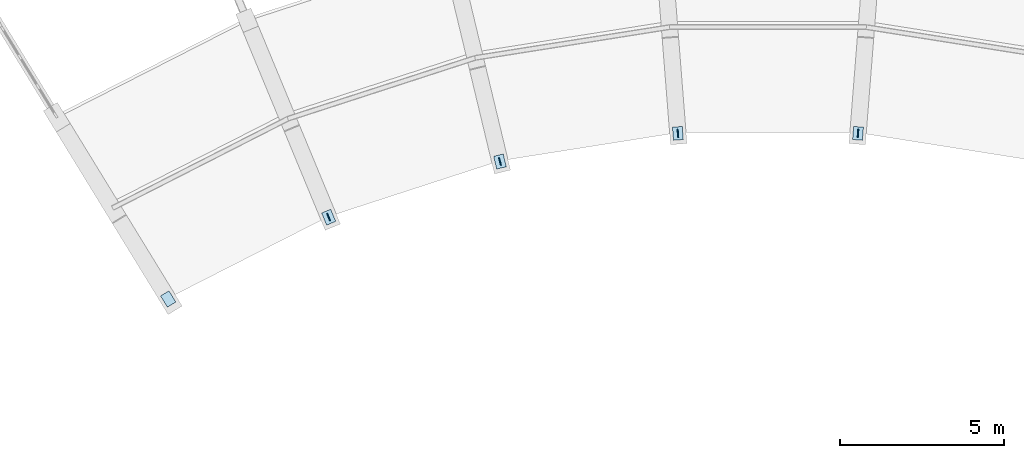
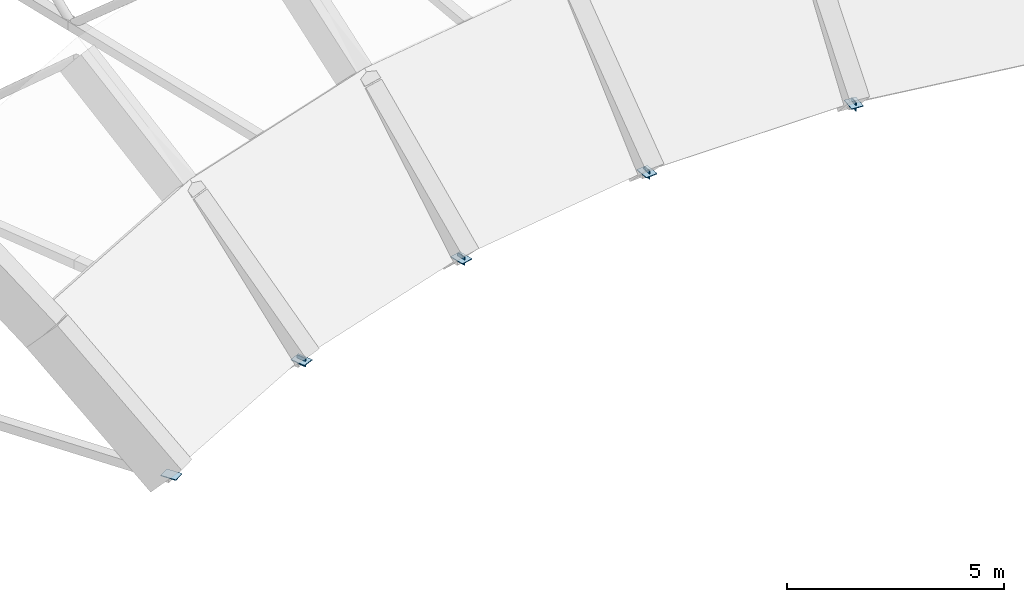
# One storey, part 22 of 34: 9 plates.
"""IFC4 building model written with IfcOpenShell, lengths in metres."""

import ifcopenshell
import ifcopenshell.guid

model = None  # the IFC model being written
_history = None  # IfcOwnerHistory: only IFC2X3 demands one
_inside = {}  # id of a spatial element -> (the spatial element, [elements in it])
_under = {}  # id of a project, library or spatial element -> (it, [spatial elements below it])
_declared = {}  # id of a project -> (the project, [libraries it declares])
_typed = {}  # id of a type object -> (the type object, [elements of that type])
_made_of = {}  # id of a material, layer set ... -> (it, [elements and type objects made of it])


def new_model(schema):
    """Start an empty IFC model of exactly this schema.

    Asked for "IFC4X3", IfcOpenShell would pick the latest addendum, in which some entities
    have other attributes; the version numbers below select the first issue.
    IFC2X3 requires an IfcOwnerHistory on every rooted entity: one is made here for all.
    """
    global model, _history
    if schema == "IFC4X3":
        model = ifcopenshell.file(schema_version=(4, 3, 0, 0))
    else:
        model = ifcopenshell.file(schema=schema)
    _inside.clear()
    _under.clear()
    _declared.clear()
    _typed.clear()
    _made_of.clear()
    _history = None
    if model.schema == "IFC2X3":
        org = make("IfcOrganization", Name="unknown")
        user = make(
            "IfcPersonAndOrganization",
            ThePerson=make("IfcPerson", FamilyName="unknown"),
            TheOrganization=org,
        )
        app = make(
            "IfcApplication",
            ApplicationDeveloper=org,
            Version="unknown",
            ApplicationFullName="unknown",
            ApplicationIdentifier="unknown",
        )
        _history = make(
            "IfcOwnerHistory",
            OwningUser=user,
            OwningApplication=app,
            ChangeAction="ADDED",
            CreationDate=0,
        )
    return model


def make(cls, **values):
    """One entity of the class cls with the attributes given. An attribute that is None is left unset."""
    return model.create_entity(
        cls, **{name: value for name, value in values.items() if value is not None}
    )


def rooted(cls, **values):
    """An entity with a GlobalId (a new one), such as an element, a storey or a relation."""
    return make(cls, GlobalId=ifcopenshell.guid.new(), OwnerHistory=_history, **values)


def si_unit(unit_type, name, prefix=None):
    """IfcSIUnit, for example si_unit("LENGTHUNIT", "METRE", prefix="MILLI")."""
    return make("IfcSIUnit", UnitType=unit_type, Prefix=prefix, Name=name)


def assignment(units):
    """IfcUnitAssignment: the units of a project."""
    return None if units is None else make("IfcUnitAssignment", Units=units)


def point(xyz):
    """IfcCartesianPoint."""
    return None if xyz is None else make("IfcCartesianPoint", Coordinates=xyz)


def direction(xyz):
    """IfcDirection."""
    return None if xyz is None else make("IfcDirection", DirectionRatios=xyz)


def frame(location, z_axis=None, x_axis=None):
    """IfcAxis2Placement3D, a coordinate frame: its origin and axes. An axis left out is left unset."""
    return make(
        "IfcAxis2Placement3D",
        Location=point(location),
        Axis=direction(z_axis),
        RefDirection=direction(x_axis),
    )


def frame_2d(location, x_axis=None):
    """IfcAxis2Placement2D, a coordinate frame in the plane: its origin and x axis."""
    return make(
        "IfcAxis2Placement2D", Location=point(location), RefDirection=direction(x_axis)
    )


def origin():
    """The frame at (0, 0, 0) with its axes left unset."""
    return frame((0.0, 0.0, 0.0))


def origin_2d():
    """The frame at (0, 0) in the plane with its x axis left unset."""
    return frame_2d((0.0, 0.0))


def place(relative_to, where):
    """IfcLocalPlacement: puts the frame where relative to a parent placement (None: the world)."""
    return make(
        "IfcLocalPlacement", PlacementRelTo=relative_to, RelativePlacement=where
    )


def context(
    kind, dimensions, precision=None, world=None, true_north=None, identifier=None
):
    """IfcGeometricRepresentationContext, for example the 3D "Model" context."""
    return make(
        "IfcGeometricRepresentationContext",
        ContextIdentifier=identifier,
        ContextType=kind,
        CoordinateSpaceDimension=dimensions,
        Precision=precision,
        WorldCoordinateSystem=world,
        TrueNorth=true_north,
    )


def subcontext(parent, identifier, kind, view, scale=None):
    """IfcGeometricRepresentationSubContext, for example "Body" below "Model"."""
    return make(
        "IfcGeometricRepresentationSubContext",
        ContextIdentifier=identifier,
        ContextType=kind,
        ParentContext=parent,
        TargetScale=scale,
        TargetView=view,
    )


def project(units=None, contexts=None):
    """IfcProject with its units and contexts."""
    return rooted(
        "IfcProject",
        Name="project",
        RepresentationContexts=contexts,
        UnitsInContext=assignment(units),
    )


def spatial(cls, under=None, at=None, **own):
    """A site, building, storey or space (cls), placed at a placement, below another one or the project."""
    s = rooted(cls, ObjectPlacement=at, **own)
    if under is not None:
        _under.setdefault(under.id(), (under, []))[1].append(s)
    return s


def profile(cls, at=None, kind="AREA", **sizes):
    """A parametric profile (cls). Its sizes go by their IFC names, for example OverallWidth=200.0."""
    return make(cls, ProfileType=kind, Position=at, **sizes)


def rectangle(**sizes):
    """IfcRectangleProfileDef."""
    return profile("IfcRectangleProfileDef", **sizes)


def extrude(swept, where, along, depth):
    """IfcExtrudedAreaSolid: the profile swept, set in the frame where, extruded along a direction by depth."""
    return make(
        "IfcExtrudedAreaSolid",
        SweptArea=swept,
        Position=where,
        ExtrudedDirection=direction(along),
        Depth=depth,
    )


def shape(context_of_items, identifier, shape_type, items):
    """IfcShapeRepresentation: the items that make up one representation, for example the "Body"."""
    return make(
        "IfcShapeRepresentation",
        ContextOfItems=context_of_items,
        RepresentationIdentifier=identifier,
        RepresentationType=shape_type,
        Items=items,
    )


def material(Name=None, Category=None):
    """IfcMaterial."""
    return make("IfcMaterial", Name=Name, Category=Category)


def layer(
    of_material, thickness, ventilated=None, Name=None, Category=None, Priority=None
):
    """IfcMaterialLayer: one layer of a wall or slab, of a material (None: an air gap)."""
    return make(
        "IfcMaterialLayer",
        Material=of_material,
        LayerThickness=thickness,
        IsVentilated=ventilated,
        Name=Name,
        Category=Category,
        Priority=Priority,
    )


def layer_set(layers, Name=None):
    """IfcMaterialLayerSet."""
    return make("IfcMaterialLayerSet", MaterialLayers=layers, LayerSetName=Name)


def made_of(thing, what):
    """Note that an element or type object is made of a material, layer set ...; save() writes the relation."""
    if what is not None:
        _made_of.setdefault(what.id(), (what, []))[1].append(thing)
    return thing


def type_object(cls, material=None, **own):
    """A type object (cls), such as IfcWallType, which elements share."""
    return made_of(rooted(cls, **own), material)


def element(
    cls,
    number,
    at=None,
    inside=None,
    cuts=None,
    type_object=None,
    material=None,
    context=None,
    identifier="Body",
    shape_type=None,
    held_by="IfcProductDefinitionShape",
    body=None,
    shapes=None,
    **own,
):
    """One element of the class cls, such as IfcWall. Its Tag is "e" and its number.

    at: its placement. inside: the storey or other place that contains it. cuts: it is an
    opening in that element (IfcRelVoidsElement). A single representation is given by context,
    identifier, shape_type and body (its items); several are given by shapes. held_by: the class
    of the entity that holds the representations. save() writes the other relations.
    """
    e = rooted(cls, Tag="e%d" % number, ObjectPlacement=at, **own)
    if body is not None:
        shapes = [shape(context, identifier, shape_type, body)]
    if shapes is not None:
        e.Representation = make(held_by, Representations=shapes)
    if inside is not None:
        _inside.setdefault(inside.id(), (inside, []))[1].append(e)
    if cuts is not None:
        rooted(
            "IfcRelVoidsElement", RelatingBuildingElement=cuts, RelatedOpeningElement=e
        )
    if type_object is not None:
        _typed.setdefault(type_object.id(), (type_object, []))[1].append(e)
    return made_of(e, material)


def aggregate(whole, parts):
    """IfcRelAggregates: a whole, such as a stair, and the parts it consists of."""
    return rooted("IfcRelAggregates", RelatingObject=whole, RelatedObjects=parts)


def save(model, path):
    """Write the relations noted so far, then the file.

    IfcRelAggregates (storeys below a building ...), IfcRelContainedInSpatialStructure (elements
    in a storey), IfcRelDefinesByType, IfcRelAssociatesMaterial and IfcRelDeclares: one each for
    every whole, place, type object, material and project.
    """
    for whole, parts in _under.values():
        aggregate(whole, parts)
    for where, things in _inside.values():
        rooted(
            "IfcRelContainedInSpatialStructure",
            RelatedElements=things,
            RelatingStructure=where,
        )
    for kind, things in _typed.values():
        rooted("IfcRelDefinesByType", RelatedObjects=things, RelatingType=kind)
    for what, things in _made_of.values():
        rooted("IfcRelAssociatesMaterial", RelatedObjects=things, RelatingMaterial=what)
    for by, libraries in _declared.values():
        rooted("IfcRelDeclares", RelatingContext=by, RelatedDefinitions=libraries)
    model.write(path)


model = new_model("IFC4")

# Units and contexts
model_context = context("Model", 3, precision=1e-05, world=origin(), true_north=direction((0.0, 1.0)))
body_context = subcontext(model_context, "Body", "Model", "MODEL_VIEW")
ifc_project = project(units=[si_unit("LENGTHUNIT", "METRE"), si_unit("AREAUNIT", "SQUARE_METRE"), si_unit("VOLUMEUNIT", "CUBIC_METRE"), si_unit("PLANEANGLEUNIT", "RADIAN"), si_unit("MASSUNIT", "GRAM", prefix="KILO")], contexts=[model_context])

# Site, building, storey
site_placement = place(None, origin())
site = spatial("IfcSite", under=ifc_project, at=site_placement, CompositionType="ELEMENT")
building_placement = place(site_placement, origin())
building = spatial("IfcBuilding", under=site, at=building_placement, Name="Miralva Faculty of Natural Sciences", CompositionType="ELEMENT")
storey_placement = place(building_placement, frame((0.0, 0.0, 24.0)))
storey = spatial("IfcBuildingStorey", under=building, at=storey_placement, Name="L05", CompositionType="ELEMENT", Elevation=24.0)

# Plates
ifc_material = material(Name="Steel S355", Category="steel")
ifc_layer_1 = layer(ifc_material, 0.02490234375, Name="PLT-BP02")
ifc_layer_set_1 = layer_set([ifc_layer_1], Name="Steel S355")
plate_type_1 = type_object("IfcPlateType", Name="PLT-BP02", PredefinedType="SHEET", material=ifc_layer_set_1)
for number, where, z_axis, x_axis, name in (
    (1, (76.606201171875, 11.335693359375, -0.16015625), (0.0, 0.0, 1.0), (-0.382683432365, 0.923879532511, 0.0), "Shell truss diagonal gusset plate 02-1"),
    (2, (81.829345703125, 13.032958984375, -0.16015625), (0.0, 0.0, 1.0), (-0.233445363856, 0.972369920398, 0.0), "Shell truss diagonal gusset plate 03-1"),
    (3, (87.25390625, 13.89208984375, -0.16015625), (0.0, 0.0, 1.0), (-0.078459095728, 0.996917333733, 0.0), "Shell truss diagonal gusset plate 04-1"),
    (4, (92.74609375, 13.89208984375, -0.16015625), (0.0, 0.0, 1.0), (0.078459095728, 0.996917333733, 0.0), "Shell truss diagonal gusset plate 05-1"),
):
    element("IfcPlate", number, at=place(storey_placement, frame(where, z_axis=z_axis, x_axis=x_axis)), inside=storey, type_object=plate_type_1, Name=name, PredefinedType="SHEET", context=body_context, shape_type="SweptSolid", body=[
        extrude(rectangle(XDim=0.239990234375, YDim=0.02001953125, at=origin_2d()), origin(), (0.0, 0.0, 1.0), 0.239990234375),
    ])
ifc_layer_2 = layer(ifc_material, 0.02001953125, Name="PLT-BP03")
ifc_layer_set_2 = layer_set([ifc_layer_2], Name="Steel S355")
plate_type_2 = type_object("IfcPlateType", Name="PLT-BP03", PredefinedType="SHEET", material=ifc_layer_set_2)
for number, where, z_axis, x_axis, name in (
    (5, (71.712646484375, 8.84228515625, -0.02001953125), (0.0, 0.0, 1.0), (-0.522498564716, 0.852640164354, 0.0), "Shell springing bearing plate EB-01-IN"),
    (6, (76.606201171875, 11.335693359375, -0.02001953125), (0.0, 0.0, 1.0), (-0.382683432365, 0.923879532511, 0.0), "Shell springing bearing plate EB-02-IN"),
    (7, (81.829345703125, 13.032958984375, -0.02001953125), (0.0, 0.0, 1.0), (-0.233445363856, 0.972369920398, 0.0), "Shell springing bearing plate EB-03-IN"),
    (8, (87.25390625, 13.89208984375, -0.02001953125), (0.0, 0.0, 1.0), (-0.078459095728, 0.996917333733, 0.0), "Shell springing bearing plate EB-04-IN"),
    (9, (92.74609375, 13.89208984375, -0.02001953125), (0.0, 0.0, 1.0), (0.078459095728, 0.996917333733, 0.0), "Shell springing bearing plate EB-05-IN"),
):
    element("IfcPlate", number, at=place(storey_placement, frame(where, z_axis=z_axis, x_axis=x_axis)), inside=storey, type_object=plate_type_2, Name=name, PredefinedType="SHEET", context=body_context, shape_type="SweptSolid", body=[
        extrude(rectangle(XDim=0.39990234375, YDim=0.300048828125, at=origin_2d()), origin(), (0.0, 0.0, 1.0), 0.02001953125),
    ])

save(model, "model.ifc")
